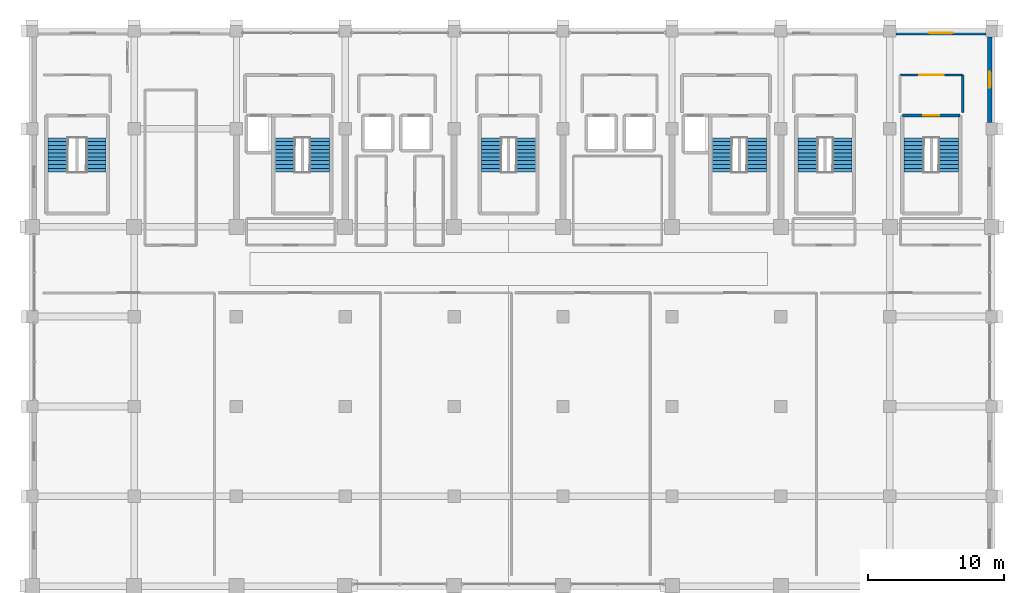
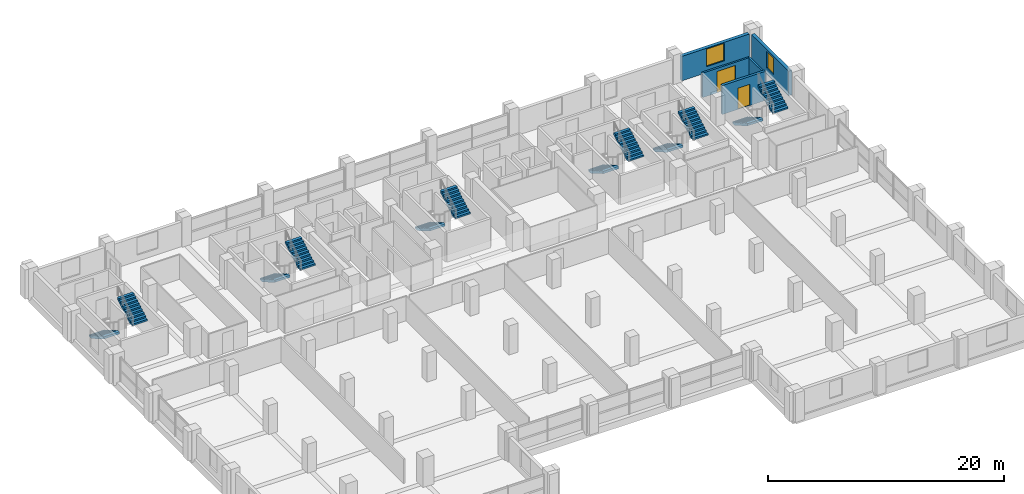
# One storey, part 20 of 21: 12 stair flights, 5 walls, 2 doors, 2 windows, 4 openings, 6 elements without a shape of their own.
"""IFC4 building model written with IfcOpenShell, lengths in metres."""

from ifc_helpers import new_model, si_unit, direction, frame, frame_2d, origin, place, context, subcontext, project, spatial, polyline, rectangle, outline, extrude, material, layer, layer_set, type_object, element, fill, aggregate, save


model = new_model("IFC4")

# Units and contexts
model_context = context("Model", 3, precision=1e-05, world=origin(), true_north=direction((0.0, 1.0)))
body_context = subcontext(model_context, "Body", "Model", "MODEL_VIEW")
ifc_project = project(units=[si_unit("LENGTHUNIT", "METRE"), si_unit("AREAUNIT", "SQUARE_METRE"), si_unit("VOLUMEUNIT", "CUBIC_METRE"), si_unit("PLANEANGLEUNIT", "RADIAN"), si_unit("MASSUNIT", "GRAM", prefix="KILO")], contexts=[model_context])

# Site, building, storey
site_placement = place(None, origin())
site = spatial("IfcSite", under=ifc_project, at=site_placement, CompositionType="ELEMENT")
building_placement = place(site_placement, origin())
building = spatial("IfcBuilding", under=site, at=building_placement, Name="Akrevak Sports Hall", CompositionType="ELEMENT")
storey_placement = place(building_placement, frame((0.0, 0.0, 34.050048828125)))
storey = spatial("IfcBuildingStorey", under=building, at=storey_placement, Name="L07", CompositionType="ELEMENT", Elevation=34.050048828125)

# Wall, opening, window
ifc_material_1 = material(Name="Limestone Ashlar", Category="stone")
ifc_layer_1 = layer(ifc_material_1, 0.070068359375, Name="Limestone Ashlar")
ifc_material_2 = material(Name="Mineral Wool Thermal Insulation", Category="insulation")
ifc_layer_2 = layer(ifc_material_2, 0.090087890625, Name="Mineral Wool Thermal Insulation")
ifc_material_3 = material(Name="Concrete C40/50", Category="concrete")
ifc_layer_3 = layer(ifc_material_3, 0.159912109375, Name="Concrete C40/50")
ifc_layer_set_1 = layer_set([ifc_layer_1, ifc_layer_2, ifc_layer_3], Name="Limestone Ashlar / Mineral Wool Thermal Insulation / Concrete C40/50")
wall_type_1 = type_object("IfcWallType", Name="ARC-WL-EXT-320", PredefinedType="SOLIDWALL", material=ifc_layer_set_1)
wall_1_placement = place(storey_placement, frame((115.340087890625, 62.85009765625, 0.0), z_axis=(0.0, 0.0, 1.0), x_axis=(0.0, 1.0, 0.0)))
wall_1 = element("IfcWall", 1, at=wall_1_placement, inside=storey, type_object=wall_type_1, Name="Tower Stone Facade Wall L07-E18", PredefinedType="SOLIDWALL", context=body_context, shape_type="SweptSolid", body=[
    extrude(rectangle(XDim=6.2998046875, YDim=0.320068359375, at=frame_2d((3.14990234375, 0.0))), origin(), (0.0, 0.0, 1.0), 2.530029296875),
])
opening_1_placement = place(wall_1_placement, frame((2.550048828125, 0.0, 0.6201171875)))
opening_1 = element("IfcOpeningElement", 2, at=opening_1_placement, cuts=wall_1, Name="Opening WN-13", PredefinedType="OPENING", context=body_context, shape_type="SweptSolid", body=[
    extrude(rectangle(XDim=1.199951171875, YDim=1.699951171875, at=frame_2d((0.60009765625, 0.85009765625))), frame((0.0, 0.171875, 0.0), z_axis=(0.0, -1.0, 0.0), x_axis=(1.0, 0.0, 0.0)), (0.0, 0.0, 1.0), 0.343994140625),
])
ifc_material_4 = material(Name="Thermally Broken Bronze Frame & Double Low-E Glass", Category="glass")
window_type_1 = type_object("IfcWindowType", Name="ARC-WIN-TW-120x170", PartitioningType="SINGLE_PANEL", PredefinedType="WINDOW", material=ifc_material_4)
window_1_placement = place(opening_1_placement, origin())
window_1 = element("IfcWindow", 3, at=window_1_placement, inside=storey, type_object=window_type_1, Name="Tower Window L07-E18", OverallHeight=1.699951171875, OverallWidth=1.199951171875, PartitioningType="SINGLE_PANEL", PredefinedType="WINDOW", context=body_context, shape_type="SweptSolid", body=[
    extrude(rectangle(XDim=1.199951171875, YDim=1.699951171875, at=frame_2d((0.60009765625, 0.85009765625))), frame((0.0, 0.030029296875, 0.0), z_axis=(0.0, -1.0, 0.0), x_axis=(1.0, 0.0, 0.0)), (0.0, 0.0, 1.0), 0.06005859375),
])
fill(opening_1, window_1)

wall_2_placement = place(storey_placement, frame((115.050048828125, 69.43994140625, 0.0), z_axis=(0.0, 0.0, 1.0), x_axis=(-1.0, 0.0, 0.0)))
wall_2 = element("IfcWall", 4, at=wall_2_placement, inside=storey, type_object=wall_type_1, Name="Tower Stone Facade Wall L07-N19", PredefinedType="SOLIDWALL", context=body_context, shape_type="SweptSolid", body=[
    extrude(rectangle(XDim=6.60009765625, YDim=0.320068359375, at=frame_2d((3.300048828125, 0.0))), origin(), (0.0, 0.0, 1.0), 2.530029296875),
])
opening_2_placement = place(wall_2_placement, frame((2.425048828125, 0.0, 0.6201171875)))
opening_2 = element("IfcOpeningElement", 5, at=opening_2_placement, cuts=wall_2, Name="Opening WN-56", PredefinedType="OPENING", context=body_context, shape_type="SweptSolid", body=[
    extrude(rectangle(XDim=1.75, YDim=1.81005859375, at=frame_2d((0.875, 0.905029296875))), frame((0.0, 0.171875, 0.0), z_axis=(0.0, -1.0, 0.0), x_axis=(1.0, 0.0, 0.0)), (0.0, 0.0, 1.0), 0.343994140625),
])
window_type_2 = type_object("IfcWindowType", Name="ARC-WIN-SZ-1750x1810", PartitioningType="SINGLE_PANEL", PredefinedType="WINDOW", material=ifc_material_4)
window_2_placement = place(opening_2_placement, origin())
window_2 = element("IfcWindow", 6, at=window_2_placement, inside=storey, type_object=window_type_2, Name="Tower Window L07-N19", OverallHeight=1.81005859375, OverallWidth=1.75, PartitioningType="SINGLE_PANEL", PredefinedType="WINDOW", context=body_context, shape_type="SweptSolid", body=[
    extrude(rectangle(XDim=1.75, YDim=1.81005859375, at=frame_2d((0.875, 0.905029296875))), frame((0.0, 0.030029296875, 0.0), z_axis=(0.0, -1.0, 0.0), x_axis=(1.0, 0.0, 0.0)), (0.0, 0.0, 1.0), 0.06005859375),
])
fill(opening_2, window_2)

# Wall, opening, door
ifc_material_5 = material(Name="Autoclaved Aerated Masonry Block", Category="masonry")
ifc_layer_4 = layer(ifc_material_5, 0.179931640625, Name="Autoclaved Aerated Masonry Block")
ifc_layer_set_2 = layer_set([ifc_layer_4], Name="Autoclaved Aerated Masonry Block")
wall_type_2 = type_object("IfcWallType", Name="ARC-WL-PRT-180", PredefinedType="PARTITIONING", material=ifc_layer_set_2)
wall_3_placement = place(storey_placement, frame((108.75, 66.35009765625, 0.0), z_axis=(0.0, 0.0, 1.0), x_axis=(1.0, 0.0, 0.0)))
wall_3 = element("IfcWall", 7, at=wall_3_placement, inside=storey, type_object=wall_type_2, Name="Interior Partition East Transfer Stair ST11 Vestibule L07 (N)", PredefinedType="PARTITIONING", context=body_context, shape_type="SweptSolid", body=[
    extrude(rectangle(XDim=4.60009765625, YDim=0.179931640625, at=frame_2d((2.300048828125, 0.0))), origin(), (0.0, 0.0, 1.0), 2.530029296875),
])
opening_3_placement = place(wall_3_placement, frame((1.39990234375, 0.0, 0.0)))
opening_3 = element("IfcOpeningElement", 8, at=opening_3_placement, cuts=wall_3, Name="Opening FD-02", PredefinedType="OPENING", context=body_context, shape_type="SweptSolid", body=[
    extrude(rectangle(XDim=1.800048828125, YDim=2.199951171875, at=frame_2d((0.89990234375, 1.10009765625))), frame((0.0, 0.10205078125, 0.0), z_axis=(0.0, -1.0, 0.0), x_axis=(1.0, 0.0, 0.0)), (0.0, 0.0, 1.0), 0.203857421875),
])
ifc_material_6 = material(Name="Fire-Rated Galvanized Door Steel", Category="steel")
door_type_1 = type_object("IfcDoorType", Name="ARC-DR-FIRE-180x220", OperationType="DOUBLE_DOOR_SINGLE_SWING", PredefinedType="DOOR", material=ifc_material_6)
door_1_placement = place(opening_3_placement, frame((1.800048828125, 0.0, 0.0), z_axis=(0.0, 0.0, 1.0), x_axis=(-1.0, 0.0, 0.0)))
door_1 = element("IfcDoor", 9, at=door_1_placement, inside=storey, type_object=door_type_1, Name="Door to East Transfer Stair ST11 Vestibule L07", OperationType="DOUBLE_DOOR_SINGLE_SWING", OverallHeight=2.199951171875, OverallWidth=1.800048828125, PredefinedType="DOOR", context=body_context, shape_type="SweptSolid", body=[
    extrude(rectangle(XDim=1.800048828125, YDim=2.199951171875, at=frame_2d((0.89990234375, 1.10009765625))), frame((0.0, 0.02490234375, 0.0), z_axis=(0.0, -1.0, 0.0), x_axis=(1.0, 0.0, 0.0)), (0.0, 0.0, 1.0), 0.050048828125),
])
fill(opening_3, door_1)

# Wall
wall_4_placement = place(storey_placement, frame((113.35009765625, 63.60009765625, 0.0), z_axis=(0.0, 0.0, 1.0), x_axis=(0.0, 1.0, 0.0)))
element("IfcWall", 10, at=wall_4_placement, inside=storey, type_object=wall_type_2, Name="Interior Partition East Transfer Stair ST11 Vestibule L07 (E)", PredefinedType="PARTITIONING", context=body_context, shape_type="SweptSolid", body=[
    extrude(rectangle(XDim=2.75, YDim=0.179931640625, at=frame_2d((1.375, 0.0))), origin(), (0.0, 0.0, 1.0), 2.530029296875),
])

# Wall, opening, door
ifc_material_7 = material(Name="Concrete C50/60", Category="concrete")
ifc_layer_5 = layer(ifc_material_7, 0.25, Name="Concrete C50/60")
ifc_layer_set_3 = layer_set([ifc_layer_5], Name="Concrete C50/60")
wall_type_3 = type_object("IfcWallType", Name="STR-WL-STAIR-250", PredefinedType="SHEAR", material=ifc_layer_set_3)
wall_5_placement = place(storey_placement, frame((113.175048828125, 63.375, 0.0), z_axis=(0.0, 0.0, 1.0), x_axis=(-1.0, 0.0, 0.0)))
wall_5 = element("IfcWall", 11, at=wall_5_placement, inside=storey, type_object=wall_type_3, Name="Stair Core ST11 Shear Wall N (L07)", PredefinedType="SHEAR", context=body_context, shape_type="SweptSolid", body=[
    extrude(rectangle(XDim=4.25, YDim=0.25, at=frame_2d((2.125, 0.0))), origin(), (0.0, 0.0, 1.0), 3.0),
])
opening_4_placement = place(wall_5_placement, frame((1.52490234375, 0.0, 0.0)))
opening_4 = element("IfcOpeningElement", 12, at=opening_4_placement, cuts=wall_5, Name="Opening SD-02", PredefinedType="OPENING", context=body_context, shape_type="SweptSolid", body=[
    extrude(rectangle(XDim=1.199951171875, YDim=2.199951171875, at=frame_2d((0.60009765625, 1.10009765625))), frame((0.0, 0.136962890625, 0.0), z_axis=(0.0, -1.0, 0.0), x_axis=(1.0, 0.0, 0.0)), (0.0, 0.0, 1.0), 0.27392578125),
])
door_type_2 = type_object("IfcDoorType", Name="ARC-DR-STAIR-120x220", OperationType="NOTDEFINED", PredefinedType="DOOR", material=ifc_material_6)
door_2_placement = place(opening_4_placement, origin())
door_2 = element("IfcDoor", 13, at=door_2_placement, inside=storey, type_object=door_type_2, Name="Exit Stair ST11 Door (L07)", OperationType="SINGLE_SWING_LEFT", OverallHeight=2.199951171875, OverallWidth=1.199951171875, PredefinedType="DOOR", context=body_context, shape_type="SweptSolid", body=[
    extrude(rectangle(XDim=1.199951171875, YDim=2.199951171875, at=frame_2d((0.60009765625, 1.10009765625))), frame((0.0, 0.02490234375, 0.0), z_axis=(0.0, -1.0, 0.0), x_axis=(1.0, 0.0, 0.0)), (0.0, 0.0, 1.0), 0.050048828125),
])
fill(opening_4, door_2)

# Stair, stair flights
stair_type_1 = type_object("IfcStairType", Name="ARC-STR-DOG-325", PredefinedType="HALF_TURN_STAIR", material=ifc_material_3)
stair_1_placement = place(storey_placement, origin())
stair_1 = element("IfcStair", 14, at=stair_1_placement, inside=storey, type_object=stair_type_1, Name="Protected Exit Stair ST1 (L07 to L08)", PredefinedType="HALF_TURN_STAIR")
stair_flight_type_1 = type_object("IfcStairFlightType", Name="ARC-FLT-165-163", PredefinedType="STRAIGHT", material=ifc_material_3)
stair_flight_1_placement = place(storey_placement, frame((63.610107421875, 61.735107421875, 0.0), z_axis=(0.0, 0.0, 1.0), x_axis=(0.0, -1.0, 0.0)))
stair_flight_1 = element("IfcStairFlight", 15, at=stair_flight_1_placement, type_object=stair_flight_type_1, Name="Stair ST1 Flight 1 (L07)", NumberOfRisers=10, NumberOfTreads=9, PredefinedType="STRAIGHT", RiserHeight=0.1625, TreadLength=0.28, context=body_context, shape_type="SweptSolid", body=[
    extrude(outline(polyline([(0.0, 0.0), (0.0, 0.16259765625), (0.280029296875, 0.16259765625), (0.280029296875, 0.324951171875), (0.56005859375, 0.324951171875), (0.56005859375, 0.487548828125), (0.840087890625, 0.487548828125), (0.840087890625, 0.64990234375), (1.1201171875, 0.64990234375), (1.1201171875, 0.8125), (1.39990234375, 0.8125), (1.39990234375, 0.97509765625), (1.679931640625, 0.97509765625), (1.679931640625, 1.137451171875), (1.9599609375, 1.137451171875), (1.9599609375, 1.300048828125), (2.239990234375, 1.300048828125), (2.239990234375, 1.46240234375), (2.52001953125, 1.46240234375), (2.52001953125, 1.625), (2.52001953125, 1.231201171875), (0.3984375, 0.0), (0.0, 0.0)])), frame((0.0, 0.75, 0.0), z_axis=(0.0, -1.0, 0.0), x_axis=(1.0, 0.0, 0.0)), (0.0, 0.0, 1.0), 1.5),
])
stair_flight_2_placement = place(storey_placement, frame((66.090087890625, 59.215087890625, 1.625), z_axis=(0.0, 0.0, 1.0), x_axis=(0.0, 1.0, 0.0)))
stair_flight_2 = element("IfcStairFlight", 16, at=stair_flight_2_placement, type_object=stair_flight_type_1, Name="Stair ST1 Flight 2 (L07)", NumberOfRisers=10, NumberOfTreads=9, PredefinedType="STRAIGHT", RiserHeight=0.1625, TreadLength=0.28, context=body_context, shape_type="SweptSolid", body=[
    extrude(outline(polyline([(0.0, 0.0), (0.0, 0.16259765625), (0.280029296875, 0.16259765625), (0.280029296875, 0.324951171875), (0.56005859375, 0.324951171875), (0.56005859375, 0.487548828125), (0.840087890625, 0.487548828125), (0.840087890625, 0.64990234375), (1.1201171875, 0.64990234375), (1.1201171875, 0.8125), (1.39990234375, 0.8125), (1.39990234375, 0.97509765625), (1.679931640625, 0.97509765625), (1.679931640625, 1.137451171875), (1.9599609375, 1.137451171875), (1.9599609375, 1.300048828125), (2.239990234375, 1.300048828125), (2.239990234375, 1.46240234375), (2.52001953125, 1.46240234375), (2.52001953125, 1.625), (2.52001953125, 1.231201171875), (0.3984375, 0.0), (0.0, 0.0)])), frame((0.0, 0.75, 0.0), z_axis=(0.0, -1.0, 0.0), x_axis=(1.0, 0.0, 0.0)), (0.0, 0.0, 1.0), 1.5),
])
aggregate(stair_1, [stair_flight_1, stair_flight_2])

stair_2_placement = place(storey_placement, origin())
stair_2 = element("IfcStair", 17, at=stair_2_placement, inside=storey, type_object=stair_type_1, Name="Protected Exit Stair ST2 (L07 to L08)", PredefinedType="HALF_TURN_STAIR")
stair_flight_3_placement = place(storey_placement, frame((95.7099609375, 61.735107421875, 0.0), z_axis=(0.0, 0.0, 1.0), x_axis=(0.0, -1.0, 0.0)))
stair_flight_3 = element("IfcStairFlight", 18, at=stair_flight_3_placement, type_object=stair_flight_type_1, Name="Stair ST2 Flight 1 (L07)", NumberOfRisers=10, NumberOfTreads=9, PredefinedType="STRAIGHT", RiserHeight=0.1625, TreadLength=0.28, context=body_context, shape_type="SweptSolid", body=[
    extrude(outline(polyline([(0.0, 0.0), (0.0, 0.16259765625), (0.280029296875, 0.16259765625), (0.280029296875, 0.324951171875), (0.56005859375, 0.324951171875), (0.56005859375, 0.487548828125), (0.840087890625, 0.487548828125), (0.840087890625, 0.64990234375), (1.1201171875, 0.64990234375), (1.1201171875, 0.8125), (1.39990234375, 0.8125), (1.39990234375, 0.97509765625), (1.679931640625, 0.97509765625), (1.679931640625, 1.137451171875), (1.9599609375, 1.137451171875), (1.9599609375, 1.300048828125), (2.239990234375, 1.300048828125), (2.239990234375, 1.46240234375), (2.52001953125, 1.46240234375), (2.52001953125, 1.625), (2.52001953125, 1.231201171875), (0.3984375, 0.0), (0.0, 0.0)])), frame((0.0, 0.75, 0.0), z_axis=(0.0, -1.0, 0.0), x_axis=(1.0, 0.0, 0.0)), (0.0, 0.0, 1.0), 1.5),
])
stair_flight_4_placement = place(storey_placement, frame((98.18994140625, 59.215087890625, 1.625), z_axis=(0.0, 0.0, 1.0), x_axis=(0.0, 1.0, 0.0)))
stair_flight_4 = element("IfcStairFlight", 19, at=stair_flight_4_placement, type_object=stair_flight_type_1, Name="Stair ST2 Flight 2 (L07)", NumberOfRisers=10, NumberOfTreads=9, PredefinedType="STRAIGHT", RiserHeight=0.1625, TreadLength=0.28, context=body_context, shape_type="SweptSolid", body=[
    extrude(outline(polyline([(0.0, 0.0), (0.0, 0.16259765625), (0.280029296875, 0.16259765625), (0.280029296875, 0.324951171875), (0.56005859375, 0.324951171875), (0.56005859375, 0.487548828125), (0.840087890625, 0.487548828125), (0.840087890625, 0.64990234375), (1.1201171875, 0.64990234375), (1.1201171875, 0.8125), (1.39990234375, 0.8125), (1.39990234375, 0.97509765625), (1.679931640625, 0.97509765625), (1.679931640625, 1.137451171875), (1.9599609375, 1.137451171875), (1.9599609375, 1.300048828125), (2.239990234375, 1.300048828125), (2.239990234375, 1.46240234375), (2.52001953125, 1.46240234375), (2.52001953125, 1.625), (2.52001953125, 1.231201171875), (0.3984375, 0.0), (0.0, 0.0)])), frame((0.0, 0.75, 0.0), z_axis=(0.0, -1.0, 0.0), x_axis=(1.0, 0.0, 0.0)), (0.0, 0.0, 1.0), 1.5),
])
aggregate(stair_2, [stair_flight_3, stair_flight_4])

stair_3_placement = place(storey_placement, origin())
stair_3 = element("IfcStair", 20, at=stair_3_placement, inside=storey, type_object=stair_type_1, Name="Protected Exit Stair ST3 (L07 to L08)", PredefinedType="HALF_TURN_STAIR")
stair_flight_5_placement = place(storey_placement, frame((78.760009765625, 61.735107421875, 0.0), z_axis=(0.0, 0.0, 1.0), x_axis=(0.0, -1.0, 0.0)))
stair_flight_5 = element("IfcStairFlight", 21, at=stair_flight_5_placement, type_object=stair_flight_type_1, Name="Stair ST3 Flight 1 (L07)", NumberOfRisers=10, NumberOfTreads=9, PredefinedType="STRAIGHT", RiserHeight=0.1625, TreadLength=0.28, context=body_context, shape_type="SweptSolid", body=[
    extrude(outline(polyline([(0.0, 0.0), (0.0, 0.16259765625), (0.280029296875, 0.16259765625), (0.280029296875, 0.324951171875), (0.56005859375, 0.324951171875), (0.56005859375, 0.487548828125), (0.840087890625, 0.487548828125), (0.840087890625, 0.64990234375), (1.1201171875, 0.64990234375), (1.1201171875, 0.8125), (1.39990234375, 0.8125), (1.39990234375, 0.97509765625), (1.679931640625, 0.97509765625), (1.679931640625, 1.137451171875), (1.9599609375, 1.137451171875), (1.9599609375, 1.300048828125), (2.239990234375, 1.300048828125), (2.239990234375, 1.46240234375), (2.52001953125, 1.46240234375), (2.52001953125, 1.625), (2.52001953125, 1.231201171875), (0.3984375, 0.0), (0.0, 0.0)])), frame((0.0, 0.75, 0.0), z_axis=(0.0, -1.0, 0.0), x_axis=(1.0, 0.0, 0.0)), (0.0, 0.0, 1.0), 1.5),
])
stair_flight_6_placement = place(storey_placement, frame((81.239990234375, 59.215087890625, 1.625), z_axis=(0.0, 0.0, 1.0), x_axis=(0.0, 1.0, 0.0)))
stair_flight_6 = element("IfcStairFlight", 22, at=stair_flight_6_placement, type_object=stair_flight_type_1, Name="Stair ST3 Flight 2 (L07)", NumberOfRisers=10, NumberOfTreads=9, PredefinedType="STRAIGHT", RiserHeight=0.1625, TreadLength=0.28, context=body_context, shape_type="SweptSolid", body=[
    extrude(outline(polyline([(0.0, 0.0), (0.0, 0.16259765625), (0.280029296875, 0.16259765625), (0.280029296875, 0.324951171875), (0.56005859375, 0.324951171875), (0.56005859375, 0.487548828125), (0.840087890625, 0.487548828125), (0.840087890625, 0.64990234375), (1.1201171875, 0.64990234375), (1.1201171875, 0.8125), (1.39990234375, 0.8125), (1.39990234375, 0.97509765625), (1.679931640625, 0.97509765625), (1.679931640625, 1.137451171875), (1.9599609375, 1.137451171875), (1.9599609375, 1.300048828125), (2.239990234375, 1.300048828125), (2.239990234375, 1.46240234375), (2.52001953125, 1.46240234375), (2.52001953125, 1.625), (2.52001953125, 1.231201171875), (0.3984375, 0.0), (0.0, 0.0)])), frame((0.0, 0.75, 0.0), z_axis=(0.0, -1.0, 0.0), x_axis=(1.0, 0.0, 0.0)), (0.0, 0.0, 1.0), 1.5),
])
aggregate(stair_3, [stair_flight_5, stair_flight_6])

stair_4_placement = place(storey_placement, origin())
stair_4 = element("IfcStair", 23, at=stair_4_placement, inside=storey, type_object=stair_type_1, Name="East Wing Exit Stair ST10 (L07 to L08)", PredefinedType="HALF_TURN_STAIR")
stair_flight_7_placement = place(storey_placement, frame((102.010009765625, 61.735107421875, 0.0), z_axis=(0.0, 0.0, 1.0), x_axis=(0.0, -1.0, 0.0)))
stair_flight_7 = element("IfcStairFlight", 24, at=stair_flight_7_placement, type_object=stair_flight_type_1, Name="Stair ST10 Flight 1 (L07)", NumberOfRisers=10, NumberOfTreads=9, PredefinedType="STRAIGHT", RiserHeight=0.1625, TreadLength=0.28, context=body_context, shape_type="SweptSolid", body=[
    extrude(outline(polyline([(0.0, 0.0), (0.0, 0.16259765625), (0.280029296875, 0.16259765625), (0.280029296875, 0.324951171875), (0.56005859375, 0.324951171875), (0.56005859375, 0.487548828125), (0.840087890625, 0.487548828125), (0.840087890625, 0.64990234375), (1.1201171875, 0.64990234375), (1.1201171875, 0.8125), (1.39990234375, 0.8125), (1.39990234375, 0.97509765625), (1.679931640625, 0.97509765625), (1.679931640625, 1.137451171875), (1.9599609375, 1.137451171875), (1.9599609375, 1.300048828125), (2.239990234375, 1.300048828125), (2.239990234375, 1.46240234375), (2.52001953125, 1.46240234375), (2.52001953125, 1.625), (2.52001953125, 1.231201171875), (0.3984375, 0.0), (0.0, 0.0)])), frame((0.0, 0.75, 0.0), z_axis=(0.0, -1.0, 0.0), x_axis=(1.0, 0.0, 0.0)), (0.0, 0.0, 1.0), 1.5),
])
stair_flight_8_placement = place(storey_placement, frame((104.489990234375, 59.215087890625, 1.625), z_axis=(0.0, 0.0, 1.0), x_axis=(0.0, 1.0, 0.0)))
stair_flight_8 = element("IfcStairFlight", 25, at=stair_flight_8_placement, type_object=stair_flight_type_1, Name="Stair ST10 Flight 2 (L07)", NumberOfRisers=10, NumberOfTreads=9, PredefinedType="STRAIGHT", RiserHeight=0.1625, TreadLength=0.28, context=body_context, shape_type="SweptSolid", body=[
    extrude(outline(polyline([(0.0, 0.0), (0.0, 0.16259765625), (0.280029296875, 0.16259765625), (0.280029296875, 0.324951171875), (0.56005859375, 0.324951171875), (0.56005859375, 0.487548828125), (0.840087890625, 0.487548828125), (0.840087890625, 0.64990234375), (1.1201171875, 0.64990234375), (1.1201171875, 0.8125), (1.39990234375, 0.8125), (1.39990234375, 0.97509765625), (1.679931640625, 0.97509765625), (1.679931640625, 1.137451171875), (1.9599609375, 1.137451171875), (1.9599609375, 1.300048828125), (2.239990234375, 1.300048828125), (2.239990234375, 1.46240234375), (2.52001953125, 1.46240234375), (2.52001953125, 1.625), (2.52001953125, 1.231201171875), (0.3984375, 0.0), (0.0, 0.0)])), frame((0.0, 0.75, 0.0), z_axis=(0.0, -1.0, 0.0), x_axis=(1.0, 0.0, 0.0)), (0.0, 0.0, 1.0), 1.5),
])
aggregate(stair_4, [stair_flight_7, stair_flight_8])

stair_5_placement = place(storey_placement, origin())
stair_5 = element("IfcStair", 26, at=stair_5_placement, inside=storey, type_object=stair_type_1, Name="East Transfer Exit Stair ST11 (L07 to L08)", PredefinedType="HALF_TURN_STAIR")
stair_flight_9_placement = place(storey_placement, frame((109.81005859375, 61.735107421875, 0.0), z_axis=(0.0, 0.0, 1.0), x_axis=(0.0, -1.0, 0.0)))
stair_flight_9 = element("IfcStairFlight", 27, at=stair_flight_9_placement, type_object=stair_flight_type_1, Name="Stair ST11 Flight 1 (L07)", NumberOfRisers=10, NumberOfTreads=9, PredefinedType="STRAIGHT", RiserHeight=0.1625, TreadLength=0.28, context=body_context, shape_type="SweptSolid", body=[
    extrude(outline(polyline([(0.0, 0.0), (0.0, 0.16259765625), (0.280029296875, 0.16259765625), (0.280029296875, 0.324951171875), (0.56005859375, 0.324951171875), (0.56005859375, 0.487548828125), (0.840087890625, 0.487548828125), (0.840087890625, 0.64990234375), (1.1201171875, 0.64990234375), (1.1201171875, 0.8125), (1.39990234375, 0.8125), (1.39990234375, 0.97509765625), (1.679931640625, 0.97509765625), (1.679931640625, 1.137451171875), (1.9599609375, 1.137451171875), (1.9599609375, 1.300048828125), (2.239990234375, 1.300048828125), (2.239990234375, 1.46240234375), (2.52001953125, 1.46240234375), (2.52001953125, 1.625), (2.52001953125, 1.231201171875), (0.3984375, 0.0), (0.0, 0.0)])), frame((0.0, 0.75, 0.0), z_axis=(0.0, -1.0, 0.0), x_axis=(1.0, 0.0, 0.0)), (0.0, 0.0, 1.0), 1.5),
])
stair_flight_10_placement = place(storey_placement, frame((112.2900390625, 59.215087890625, 1.625), z_axis=(0.0, 0.0, 1.0), x_axis=(0.0, 1.0, 0.0)))
stair_flight_10 = element("IfcStairFlight", 28, at=stair_flight_10_placement, type_object=stair_flight_type_1, Name="Stair ST11 Flight 2 (L07)", NumberOfRisers=10, NumberOfTreads=9, PredefinedType="STRAIGHT", RiserHeight=0.1625, TreadLength=0.28, context=body_context, shape_type="SweptSolid", body=[
    extrude(outline(polyline([(0.0, 0.0), (0.0, 0.16259765625), (0.280029296875, 0.16259765625), (0.280029296875, 0.324951171875), (0.56005859375, 0.324951171875), (0.56005859375, 0.487548828125), (0.840087890625, 0.487548828125), (0.840087890625, 0.64990234375), (1.1201171875, 0.64990234375), (1.1201171875, 0.8125), (1.39990234375, 0.8125), (1.39990234375, 0.97509765625), (1.679931640625, 0.97509765625), (1.679931640625, 1.137451171875), (1.9599609375, 1.137451171875), (1.9599609375, 1.300048828125), (2.239990234375, 1.300048828125), (2.239990234375, 1.46240234375), (2.52001953125, 1.46240234375), (2.52001953125, 1.625), (2.52001953125, 1.231201171875), (0.3984375, 0.0), (0.0, 0.0)])), frame((0.0, 0.75, 0.0), z_axis=(0.0, -1.0, 0.0), x_axis=(1.0, 0.0, 0.0)), (0.0, 0.0, 1.0), 1.5),
])
aggregate(stair_5, [stair_flight_9, stair_flight_10])

stair_type_2 = type_object("IfcStairType", Name="ARC-STR-MDOG-325", PredefinedType="HALF_TURN_STAIR", material=ifc_material_3)
stair_6_placement = place(storey_placement, origin())
stair_6 = element("IfcStair", 29, at=stair_6_placement, inside=storey, type_object=stair_type_2, Name="Protected Exit Stair ST4 (L07 to L08)", PredefinedType="HALF_TURN_STAIR")
stair_flight_type_2 = type_object("IfcStairFlightType", Name="ARC-FLT-200-163", PredefinedType="STRAIGHT", material=ifc_material_3)
stair_flight_11_placement = place(storey_placement, frame((46.9150390625, 61.735107421875, 0.0), z_axis=(0.0, 0.0, 1.0), x_axis=(0.0, -1.0, 0.0)))
stair_flight_11 = element("IfcStairFlight", 30, at=stair_flight_11_placement, type_object=stair_flight_type_2, Name="Stair ST4 Flight 1 (L07)", NumberOfRisers=10, NumberOfTreads=9, PredefinedType="STRAIGHT", RiserHeight=0.1625, TreadLength=0.28, context=body_context, shape_type="SweptSolid", body=[
    extrude(outline(polyline([(0.0, 0.0), (0.0, 0.16259765625), (0.280029296875, 0.16259765625), (0.280029296875, 0.324951171875), (0.56005859375, 0.324951171875), (0.56005859375, 0.487548828125), (0.840087890625, 0.487548828125), (0.840087890625, 0.64990234375), (1.1201171875, 0.64990234375), (1.1201171875, 0.8125), (1.39990234375, 0.8125), (1.39990234375, 0.97509765625), (1.679931640625, 0.97509765625), (1.679931640625, 1.137451171875), (1.9599609375, 1.137451171875), (1.9599609375, 1.300048828125), (2.239990234375, 1.300048828125), (2.239990234375, 1.46240234375), (2.52001953125, 1.46240234375), (2.52001953125, 1.625), (2.52001953125, 1.231201171875), (0.3984375, 0.0), (0.0, 0.0)])), frame((0.0, 0.7548828125, 0.0), z_axis=(0.0, -1.0, 0.0), x_axis=(1.0, 0.0, 0.0)), (0.0, 0.0, 1.0), 1.510009765625),
])
stair_flight_12_placement = place(storey_placement, frame((49.68505859375, 59.215087890625, 1.625), z_axis=(0.0, 0.0, 1.0), x_axis=(0.0, 1.0, 0.0)))
stair_flight_12 = element("IfcStairFlight", 31, at=stair_flight_12_placement, type_object=stair_flight_type_2, Name="Stair ST4 Flight 2 (L07)", NumberOfRisers=10, NumberOfTreads=9, PredefinedType="STRAIGHT", RiserHeight=0.1625, TreadLength=0.28, context=body_context, shape_type="SweptSolid", body=[
    extrude(outline(polyline([(0.0, 0.0), (0.0, 0.16259765625), (0.280029296875, 0.16259765625), (0.280029296875, 0.324951171875), (0.56005859375, 0.324951171875), (0.56005859375, 0.487548828125), (0.840087890625, 0.487548828125), (0.840087890625, 0.64990234375), (1.1201171875, 0.64990234375), (1.1201171875, 0.8125), (1.39990234375, 0.8125), (1.39990234375, 0.97509765625), (1.679931640625, 0.97509765625), (1.679931640625, 1.137451171875), (1.9599609375, 1.137451171875), (1.9599609375, 1.300048828125), (2.239990234375, 1.300048828125), (2.239990234375, 1.46240234375), (2.52001953125, 1.46240234375), (2.52001953125, 1.625), (2.52001953125, 1.231201171875), (0.3984375, 0.0), (0.0, 0.0)])), frame((0.0, 0.7548828125, 0.0), z_axis=(0.0, -1.0, 0.0), x_axis=(1.0, 0.0, 0.0)), (0.0, 0.0, 1.0), 1.510009765625),
])
aggregate(stair_6, [stair_flight_11, stair_flight_12])

save(model, "model.ifc")
